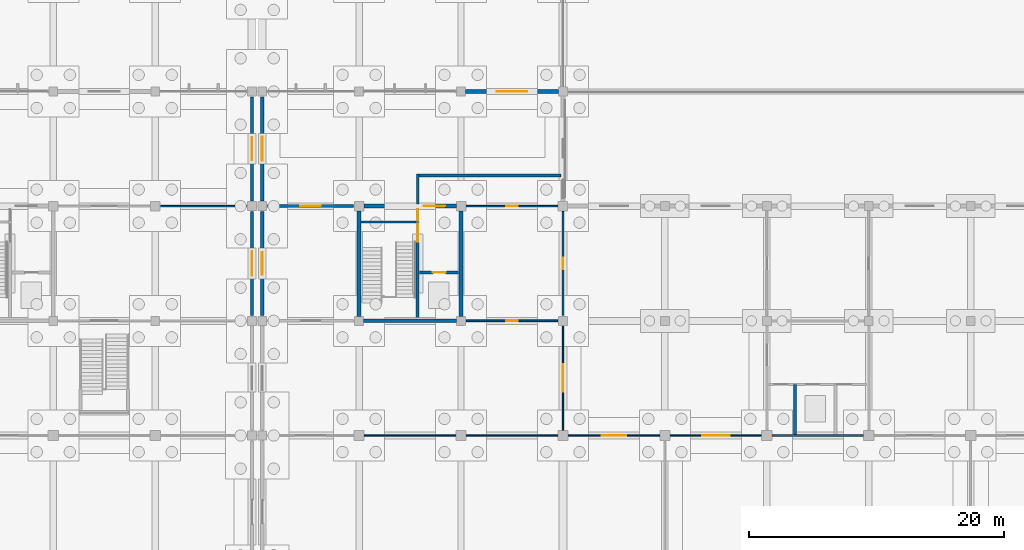
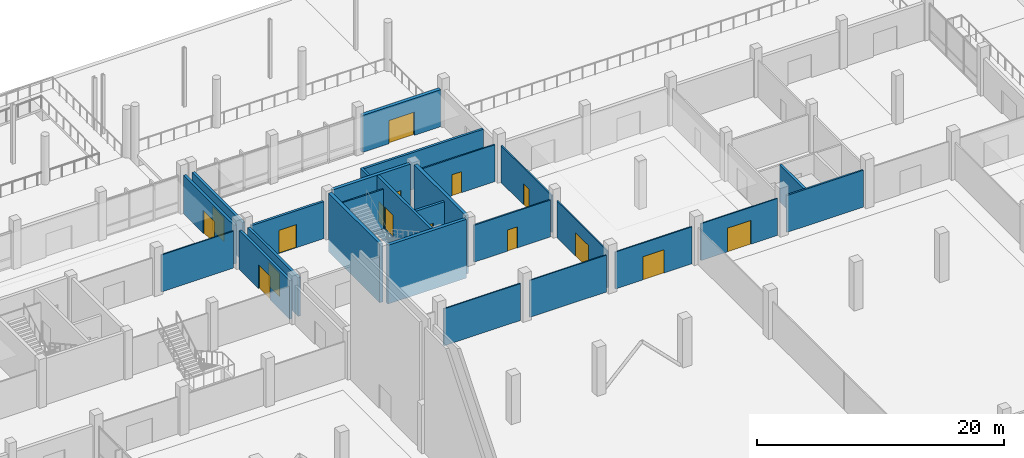
# One storey, part 55 of 72: 26 walls, 16 doors, 16 openings.
"""IFC4 building model written with IfcOpenShell, lengths in metres."""

from ifc_helpers import new_model, si_unit, direction, frame, frame_2d, origin, place, context, subcontext, project, spatial, rectangle, extrude, material, layer, layer_set, type_object, element, fill, save


model = new_model("IFC4")

# Units and contexts
model_context = context("Model", 3, precision=1e-05, world=origin(), true_north=direction((0.0, 1.0)))
body_context = subcontext(model_context, "Body", "Model", "MODEL_VIEW")
ifc_project = project(units=[si_unit("LENGTHUNIT", "METRE"), si_unit("AREAUNIT", "SQUARE_METRE"), si_unit("VOLUMEUNIT", "CUBIC_METRE"), si_unit("PLANEANGLEUNIT", "RADIAN"), si_unit("MASSUNIT", "GRAM", prefix="KILO"), si_unit("THERMODYNAMICTEMPERATUREUNIT", "KELVIN"), si_unit("POWERUNIT", "WATT")], contexts=[model_context])

# Site, building, storey
site_placement = place(None, origin())
site = spatial("IfcSite", under=ifc_project, at=site_placement, CompositionType="ELEMENT")
building_placement = place(site_placement, origin())
building = spatial("IfcBuilding", under=site, at=building_placement, Name="Kronsvod Quay Wholesale Market", CompositionType="ELEMENT")
storey_placement = place(building_placement, origin())
storey = spatial("IfcBuildingStorey", under=building, at=storey_placement, Name="L00", CompositionType="ELEMENT", Elevation=0.0)

# Wall
ifc_material_1 = material(Name="Concrete C35/45", Category="concrete")
ifc_layer_1 = layer(ifc_material_1, 0.300048828125)
ifc_layer_set_1 = layer_set([ifc_layer_1], Name="Concrete C35/45")
wall_type_1 = type_object("IfcWallType", Name="Wall_CoreShear300", PredefinedType="SHEAR", material=ifc_layer_set_1)
wall_1_placement = place(storey_placement, frame((136.344970703125, 99.0, -1.25), z_axis=(0.0, 0.0, 1.0), x_axis=(1.0, 0.0, 0.0)))
element("IfcWall", 1, at=wall_1_placement, inside=storey, type_object=wall_type_1, Name="CW-C10-L00-S", PredefinedType="SHEAR", context=body_context, shape_type="SweptSolid", body=[
    extrude(rectangle(XDim=7.31005859375, YDim=0.300048828125, at=frame_2d((3.655029296875, 0.0))), origin(), (0.0, 0.0, 1.0), 5.804931640625),
])

# Wall, opening, door
wall_2_placement = place(storey_placement, frame((136.3701171875, 108.0, -1.25), z_axis=(0.0, 0.0, 1.0), x_axis=(1.0, 0.0, 0.0)))
wall_2 = element("IfcWall", 2, at=wall_2_placement, inside=storey, type_object=wall_type_1, Name="CW-C10-L00-N", PredefinedType="SHEAR", context=body_context, shape_type="SweptSolid", body=[
    extrude(rectangle(XDim=7.259765625, YDim=0.300048828125, at=frame_2d((3.6298828125, 0.0))), origin(), (0.0, 0.0, 1.0), 5.804931640625),
])
opening_1_placement = place(wall_2_placement, frame((4.699951171875, 0.0, 1.25)))
opening_1 = element("IfcOpeningElement", 3, at=opening_1_placement, cuts=wall_2, Name="Opening D-0108", PredefinedType="OPENING", context=body_context, shape_type="SweptSolid", body=[
    extrude(rectangle(XDim=1.699951171875, YDim=2.25, at=frame_2d((0.85009765625, 1.125))), frame((0.0, 0.16015625, 0.0), z_axis=(0.0, -1.0, 0.0), x_axis=(1.0, 0.0, 0.0)), (0.0, 0.0, 1.0), 0.320068359375),
])
ifc_material_2 = material(Name="Painted galvanized fire steel", Category="steel")
door_type_1 = type_object("IfcDoorType", Name="Door_FireLobby170x225", OperationType="DOUBLE_DOOR_SINGLE_SWING", PredefinedType="DOOR", material=ifc_material_2)
door_1_placement = place(opening_1_placement, origin())
door_1 = element("IfcDoor", 4, at=door_1_placement, inside=storey, type_object=door_type_1, Name="Core Lobby Door D-0108", OperationType="DOUBLE_DOOR_SINGLE_SWING", OverallHeight=2.25, OverallWidth=1.699951171875, PredefinedType="DOOR", context=body_context, shape_type="SweptSolid", body=[
    extrude(rectangle(XDim=1.699951171875, YDim=2.25, at=frame_2d((0.85009765625, 1.125))), frame((0.0, 0.02490234375, 0.0), z_axis=(0.0, -1.0, 0.0), x_axis=(1.0, 0.0, 0.0)), (0.0, 0.0, 1.0), 0.050048828125),
])
fill(opening_1, door_1)

# Walls
for number, where, z_axis, x_axis, name in (
    (5, (136.0, 99.344970703125, -1.25), (0.0, 0.0, 1.0), (0.0, 1.0, 0.0), "CW-C10-L00-W"),
    (6, (144.0, 99.344970703125, -1.25), (0.0, 0.0, 1.0), (0.0, 1.0, 0.0), "CW-C10-L00-E"),
):
    element("IfcWall", number, at=place(storey_placement, frame(where, z_axis=z_axis, x_axis=x_axis)), inside=storey, type_object=wall_type_1, Name=name, PredefinedType="SHEAR", context=body_context, shape_type="SweptSolid", body=[
        extrude(rectangle(XDim=8.284912109375, YDim=0.300048828125, at=frame_2d((4.142578125, 0.0))), origin(), (0.0, 0.0, 1.0), 5.804931640625),
    ])

# Wall, opening, door
ifc_material_3 = material(Name="Precast concrete C40/50", Category="concrete")
ifc_layer_2 = layer(ifc_material_3, 0.320068359375)
ifc_layer_set_2 = layer_set([ifc_layer_2], Name="Precast concrete C40/50")
wall_type_2 = type_object("IfcWallType", Name="Wall_ExtPrecast320", PredefinedType="SOLIDWALL", material=ifc_layer_set_2)
wall_3_placement = place(storey_placement, frame((151.655029296875, 117.0, 0.0), z_axis=(0.0, 0.0, 1.0), x_axis=(-1.0, 0.0, 0.0)))
wall_3 = element("IfcWall", 7, at=wall_3_placement, inside=storey, type_object=wall_type_2, Name="EW-X-L00-0078", PredefinedType="SOLIDWALL", context=body_context, shape_type="SweptSolid", body=[
    extrude(rectangle(XDim=7.31005859375, YDim=0.320068359375, at=frame_2d((3.655029296875, 0.0))), origin(), (0.0, 0.0, 1.0), 3.64990234375),
])
opening_2_placement = place(wall_3_placement, frame((2.455078125, 0.0, 0.0)))
opening_2 = element("IfcOpeningElement", 8, at=opening_2_placement, cuts=wall_3, Name="Opening ED-044", PredefinedType="OPENING", context=body_context, shape_type="SweptSolid", body=[
    extrude(rectangle(XDim=2.39990234375, YDim=2.300048828125, at=frame_2d((1.199951171875, 1.14990234375))), frame((0.0, 0.169921875, 0.0), z_axis=(0.0, -1.0, 0.0), x_axis=(1.0, 0.0, 0.0)), (0.0, 0.0, 1.0), 0.340087890625),
])
ifc_material_4 = material(Name="Aluminium and safety glass", Category="aluminium")
door_type_2 = type_object("IfcDoorType", Name="Door_ExitDouble240x230", OperationType="DOUBLE_DOOR_SINGLE_SWING", PredefinedType="DOOR", material=ifc_material_4)
door_2_placement = place(opening_2_placement, frame((2.39990234375, 0.0, 0.0), z_axis=(0.0, 0.0, 1.0), x_axis=(-1.0, 0.0, 0.0)))
door_2 = element("IfcDoor", 9, at=door_2_placement, inside=storey, type_object=door_type_2, Name="Harbour Colonnade Exit Door ED-044", OperationType="DOUBLE_DOOR_SINGLE_SWING", OverallHeight=2.300048828125, OverallWidth=2.39990234375, PredefinedType="DOOR", context=body_context, shape_type="SweptSolid", body=[
    extrude(rectangle(XDim=2.39990234375, YDim=2.300048828125, at=frame_2d((1.199951171875, 1.14990234375))), frame((0.0, 0.02490234375, 0.0), z_axis=(0.0, -1.0, 0.0), x_axis=(1.0, 0.0, 0.0)), (0.0, 0.0, 1.0), 0.050048828125),
])
fill(opening_2, door_2)

ifc_material_5 = material(Name="Precast concrete C40/50", Category="concrete")
ifc_layer_3 = layer(ifc_material_5, 0.239990234375)
ifc_layer_set_3 = layer_set([ifc_layer_3], Name="Precast concrete C40/50")
wall_type_3 = type_object("IfcWallType", Name="Wall_ExtSpandrel240", PredefinedType="SOLIDWALL", material=ifc_layer_set_3)
wall_4_placement = place(storey_placement, frame((127.60009765625, 99.419921875, 0.0), z_axis=(0.0, 0.0, 1.0), x_axis=(0.0, 1.0, 0.0)))
wall_4 = element("IfcWall", 10, at=wall_4_placement, inside=storey, type_object=wall_type_3, Name="MJWG-L00-1276-990", PredefinedType="SOLIDWALL", context=body_context, shape_type="SweptSolid", body=[
    extrude(rectangle(XDim=8.16015625, YDim=0.239990234375, at=frame_2d((4.080078125, 0.0))), origin(), (0.0, 0.0, 1.0), 3.820068359375),
])
opening_3_placement = place(wall_4_placement, frame((3.1298828125, 0.0, 0.0)))
opening_3 = element("IfcOpeningElement", 11, at=opening_3_placement, cuts=wall_4, Name="Opening D-0339", PredefinedType="OPENING", context=body_context, shape_type="SweptSolid", body=[
    extrude(rectangle(XDim=1.89990234375, YDim=2.35009765625, at=frame_2d((0.949951171875, 1.175048828125))), frame((0.0, 0.1298828125, 0.0), z_axis=(0.0, -1.0, 0.0), x_axis=(1.0, 0.0, 0.0)), (0.0, 0.0, 1.0), 0.260009765625),
])
ifc_material_6 = material(Name="Painted galvanized fire steel", Category="steel")
door_type_3 = type_object("IfcDoorType", Name="Door_FireComp190x235", OperationType="DOUBLE_DOOR_SINGLE_SWING", PredefinedType="DOOR", material=ifc_material_6)
door_3_placement = place(opening_3_placement, origin())
door_3 = element("IfcDoor", 12, at=door_3_placement, inside=storey, type_object=door_type_3, Name="Fire Compartment Door D-0339", OperationType="DOUBLE_DOOR_SINGLE_SWING", OverallHeight=2.35009765625, OverallWidth=1.89990234375, PredefinedType="DOOR", context=body_context, shape_type="SweptSolid", body=[
    extrude(rectangle(XDim=1.89990234375, YDim=2.35009765625, at=frame_2d((0.949951171875, 1.175048828125))), frame((0.0, 0.02490234375, 0.0), z_axis=(0.0, -1.0, 0.0), x_axis=(1.0, 0.0, 0.0)), (0.0, 0.0, 1.0), 0.050048828125),
])
fill(opening_3, door_3)

wall_5_placement = place(storey_placement, frame((127.60009765625, 108.419921875, 0.0), z_axis=(0.0, 0.0, 1.0), x_axis=(0.0, 1.0, 0.0)))
wall_5 = element("IfcWall", 13, at=wall_5_placement, inside=storey, type_object=wall_type_3, Name="MJWG-L00-1276-1080", PredefinedType="SOLIDWALL", context=body_context, shape_type="SweptSolid", body=[
    extrude(rectangle(XDim=8.16015625, YDim=0.239990234375, at=frame_2d((4.080078125, 0.0))), origin(), (0.0, 0.0, 1.0), 3.820068359375),
])
opening_4_placement = place(wall_5_placement, frame((3.179931640625, 0.0, 0.0)))
opening_4 = element("IfcOpeningElement", 14, at=opening_4_placement, cuts=wall_5, Name="Opening D-0340", PredefinedType="OPENING", context=body_context, shape_type="SweptSolid", body=[
    extrude(rectangle(XDim=1.800048828125, YDim=2.300048828125, at=frame_2d((0.89990234375, 1.14990234375))), frame((0.0, 0.1298828125, 0.0), z_axis=(0.0, -1.0, 0.0), x_axis=(1.0, 0.0, 0.0)), (0.0, 0.0, 1.0), 0.260009765625),
])
ifc_material_7 = material(Name="Painted galvanized fire steel", Category="steel")
door_type_4 = type_object("IfcDoorType", Name="Door_FireComp180x230", OperationType="DOUBLE_DOOR_SINGLE_SWING", PredefinedType="DOOR", material=ifc_material_7)
door_4_placement = place(opening_4_placement, origin())
door_4 = element("IfcDoor", 15, at=door_4_placement, inside=storey, type_object=door_type_4, Name="Fire Compartment Door D-0340", OperationType="DOUBLE_DOOR_SINGLE_SWING", OverallHeight=2.300048828125, OverallWidth=1.800048828125, PredefinedType="DOOR", context=body_context, shape_type="SweptSolid", body=[
    extrude(rectangle(XDim=1.800048828125, YDim=2.300048828125, at=frame_2d((0.89990234375, 1.14990234375))), frame((0.0, 0.02490234375, 0.0), z_axis=(0.0, -1.0, 0.0), x_axis=(1.0, 0.0, 0.0)), (0.0, 0.0, 1.0), 0.050048828125),
])
fill(opening_4, door_4)

wall_6_placement = place(storey_placement, frame((128.39990234375, 99.419921875, 0.0), z_axis=(0.0, 0.0, 1.0), x_axis=(0.0, 1.0, 0.0)))
wall_6 = element("IfcWall", 16, at=wall_6_placement, inside=storey, type_object=wall_type_3, Name="MJWG-L00-1284-990", PredefinedType="SOLIDWALL", context=body_context, shape_type="SweptSolid", body=[
    extrude(rectangle(XDim=8.16015625, YDim=0.239990234375, at=frame_2d((4.080078125, 0.0))), origin(), (0.0, 0.0, 1.0), 3.820068359375),
])
opening_5_placement = place(wall_6_placement, frame((3.179931640625, 0.0, 0.0)))
opening_5 = element("IfcOpeningElement", 17, at=opening_5_placement, cuts=wall_6, Name="Opening D-0348", PredefinedType="OPENING", context=body_context, shape_type="SweptSolid", body=[
    extrude(rectangle(XDim=1.800048828125, YDim=2.300048828125, at=frame_2d((0.89990234375, 1.14990234375))), frame((0.0, 0.1298828125, 0.0), z_axis=(0.0, -1.0, 0.0), x_axis=(1.0, 0.0, 0.0)), (0.0, 0.0, 1.0), 0.260009765625),
])
door_5_placement = place(opening_5_placement, origin())
door_5 = element("IfcDoor", 18, at=door_5_placement, inside=storey, type_object=door_type_4, Name="Fire Compartment Door D-0348", OperationType="DOUBLE_DOOR_SINGLE_SWING", OverallHeight=2.300048828125, OverallWidth=1.800048828125, PredefinedType="DOOR", context=body_context, shape_type="SweptSolid", body=[
    extrude(rectangle(XDim=1.800048828125, YDim=2.300048828125, at=frame_2d((0.89990234375, 1.14990234375))), frame((0.0, 0.02490234375, 0.0), z_axis=(0.0, -1.0, 0.0), x_axis=(1.0, 0.0, 0.0)), (0.0, 0.0, 1.0), 0.050048828125),
])
fill(opening_5, door_5)

wall_7_placement = place(storey_placement, frame((128.39990234375, 108.419921875, 0.0), z_axis=(0.0, 0.0, 1.0), x_axis=(0.0, 1.0, 0.0)))
wall_7 = element("IfcWall", 19, at=wall_7_placement, inside=storey, type_object=wall_type_3, Name="MJWG-L00-1284-1080", PredefinedType="SOLIDWALL", context=body_context, shape_type="SweptSolid", body=[
    extrude(rectangle(XDim=8.16015625, YDim=0.239990234375, at=frame_2d((4.080078125, 0.0))), origin(), (0.0, 0.0, 1.0), 3.820068359375),
])
opening_6_placement = place(wall_7_placement, frame((3.1298828125, 0.0, 0.0)))
opening_6 = element("IfcOpeningElement", 20, at=opening_6_placement, cuts=wall_7, Name="Opening D-0349", PredefinedType="OPENING", context=body_context, shape_type="SweptSolid", body=[
    extrude(rectangle(XDim=1.89990234375, YDim=2.35009765625, at=frame_2d((0.949951171875, 1.175048828125))), frame((0.0, 0.1298828125, 0.0), z_axis=(0.0, -1.0, 0.0), x_axis=(1.0, 0.0, 0.0)), (0.0, 0.0, 1.0), 0.260009765625),
])
door_6_placement = place(opening_6_placement, origin())
door_6 = element("IfcDoor", 21, at=door_6_placement, inside=storey, type_object=door_type_3, Name="Fire Compartment Door D-0349", OperationType="DOUBLE_DOOR_SINGLE_SWING", OverallHeight=2.35009765625, OverallWidth=1.89990234375, PredefinedType="DOOR", context=body_context, shape_type="SweptSolid", body=[
    extrude(rectangle(XDim=1.89990234375, YDim=2.35009765625, at=frame_2d((0.949951171875, 1.175048828125))), frame((0.0, 0.02490234375, 0.0), z_axis=(0.0, -1.0, 0.0), x_axis=(1.0, 0.0, 0.0)), (0.0, 0.0, 1.0), 0.050048828125),
])
fill(opening_6, door_6)

# Wall
ifc_material_8 = material(Name="Concrete C35/45", Category="concrete")
ifc_layer_4 = layer(ifc_material_8, 0.219970703125)
ifc_layer_set_4 = layer_set([ifc_layer_4], Name="Concrete C35/45")
wall_type_4 = type_object("IfcWallType", Name="Wall_FireComp220", PredefinedType="SOLIDWALL", material=ifc_layer_set_4)
wall_8_placement = place(storey_placement, frame((170.199951171875, 90.080078125, 0.0), z_axis=(0.0, 0.0, 1.0), x_axis=(0.0, 1.0, 0.0)))
element("IfcWall", 22, at=wall_8_placement, inside=storey, type_object=wall_type_4, Name="LFX-L00-W1", PredefinedType="SOLIDWALL", context=body_context, shape_type="SweptSolid", body=[
    extrude(rectangle(XDim=3.919921875, YDim=0.219970703125, at=frame_2d((1.9599609375, 0.0))), origin(), (0.0, 0.0, 1.0), 3.64990234375),
])

# Wall, opening, door
wall_9_placement = place(storey_placement, frame((128.820068359375, 108.0, 0.0), z_axis=(0.0, 0.0, 1.0), x_axis=(1.0, 0.0, 0.0)))
wall_9 = element("IfcWall", 23, at=wall_9_placement, inside=storey, type_object=wall_type_4, Name="PW-L00-0148", PredefinedType="SOLIDWALL", context=body_context, shape_type="SweptSolid", body=[
    extrude(rectangle(XDim=6.760009765625, YDim=0.219970703125, at=frame_2d((3.3798828125, 0.0))), origin(), (0.0, 0.0, 1.0), 3.64990234375),
])
opening_7_placement = place(wall_9_placement, frame((2.580078125, 0.0, 0.0)))
opening_7 = element("IfcOpeningElement", 24, at=opening_7_placement, cuts=wall_9, Name="Opening D-0209", PredefinedType="OPENING", context=body_context, shape_type="SweptSolid", body=[
    extrude(rectangle(XDim=1.60009765625, YDim=2.280029296875, at=frame_2d((0.800048828125, 1.14013671875))), frame((0.0, 0.1201171875, 0.0), z_axis=(0.0, -1.0, 0.0), x_axis=(1.0, 0.0, 0.0)), (0.0, 0.0, 1.0), 0.239990234375),
])
ifc_material_9 = material(Name="Painted steel plant door", Category="steel")
door_type_5 = type_object("IfcDoorType", Name="Door_Plant160x228", OperationType="DOUBLE_DOOR_SINGLE_SWING", PredefinedType="DOOR", material=ifc_material_9)
door_7_placement = place(opening_7_placement, origin())
door_7 = element("IfcDoor", 25, at=door_7_placement, inside=storey, type_object=door_type_5, Name="Interior Door D-0209", OperationType="DOUBLE_DOOR_SINGLE_SWING", OverallHeight=2.280029296875, OverallWidth=1.60009765625, PredefinedType="DOOR", context=body_context, shape_type="SweptSolid", body=[
    extrude(rectangle(XDim=1.60009765625, YDim=2.280029296875, at=frame_2d((0.800048828125, 1.14013671875))), frame((0.0, 0.02490234375, 0.0), z_axis=(0.0, -1.0, 0.0), x_axis=(1.0, 0.0, 0.0)), (0.0, 0.0, 1.0), 0.050048828125),
])
fill(opening_7, door_7)

# Walls
wall_10_placement = place(storey_placement, frame((140.7099609375, 110.39990234375, 0.0), z_axis=(0.0, 0.0, 1.0), x_axis=(1.0, 0.0, 0.0)))
element("IfcWall", 26, at=wall_10_placement, inside=storey, type_object=wall_type_4, Name="XPW-C10-N", PredefinedType="SOLIDWALL", context=body_context, shape_type="SweptSolid", body=[
    extrude(rectangle(XDim=11.14013671875, YDim=0.219970703125, at=frame_2d((5.570068359375, 0.0))), origin(), (0.0, 0.0, 1.0), 3.64990234375),
])
wall_11_placement = place(storey_placement, frame((140.60009765625, 108.14990234375, 0.0), z_axis=(0.0, 0.0, 1.0), x_axis=(0.0, 1.0, 0.0)))
element("IfcWall", 27, at=wall_11_placement, inside=storey, type_object=wall_type_4, Name="XPW-C10-W", PredefinedType="SOLIDWALL", context=body_context, shape_type="SweptSolid", body=[
    extrude(rectangle(XDim=2.360107421875, YDim=0.219970703125, at=frame_2d((1.18017578125, 0.0))), origin(), (0.0, 0.0, 1.0), 3.64990234375),
])
ifc_material_10 = material(Name="Fire-rated corridor gypsum partition")
ifc_layer_5 = layer(ifc_material_10, 0.159912109375)
ifc_layer_set_5 = layer_set([ifc_layer_5], Name="Fire-rated corridor gypsum partition")
wall_type_5 = type_object("IfcWallType", Name="Wall_PartCorridor160", PredefinedType="PARTITIONING", material=ifc_layer_set_5)
wall_12_placement = place(storey_placement, frame((168.419921875, 90.0, 0.0), z_axis=(0.0, 0.0, 1.0), x_axis=(1.0, 0.0, 0.0)))
element("IfcWall", 28, at=wall_12_placement, inside=storey, type_object=wall_type_5, Name="LFX-L00-WS", PredefinedType="PARTITIONING", context=body_context, shape_type="SweptSolid", body=[
    extrude(rectangle(XDim=7.16015625, YDim=0.159912109375, at=frame_2d((3.580078125, 0.0))), origin(), (0.0, 0.0, 1.0), 3.64990234375),
])
ifc_material_11 = material(Name="Double-glazed gallery screen partition", Category="glass")
ifc_layer_6 = layer(ifc_material_11, 0.10791015625)
ifc_layer_set_6 = layer_set([ifc_layer_6], Name="Double-glazed gallery screen partition")
wall_type_6 = type_object("IfcWallType", Name="Wall_PartGlazed108", PredefinedType="PARTITIONING", material=ifc_layer_set_6)
for number, where, z_axis, x_axis, name in (
    (29, (136.419921875, 90.0, 0.0), (0.0, 0.0, 1.0), (1.0, 0.0, 0.0), "PW-L00-0115"),
    (30, (144.419921875, 90.0, 0.0), (0.0, 0.0, 1.0), (1.0, 0.0, 0.0), "PW-L00-0116"),
):
    element("IfcWall", number, at=place(storey_placement, frame(where, z_axis=z_axis, x_axis=x_axis)), inside=storey, type_object=wall_type_6, Name=name, PredefinedType="PARTITIONING", context=body_context, shape_type="SweptSolid", body=[
        extrude(rectangle(XDim=7.16015625, YDim=0.10791015625, at=frame_2d((3.580078125, 0.0))), origin(), (0.0, 0.0, 1.0), 3.64990234375),
    ])

# Wall, opening, door
wall_13_placement = place(storey_placement, frame((160.419921875, 90.0, 0.0), z_axis=(0.0, 0.0, 1.0), x_axis=(1.0, 0.0, 0.0)))
wall_13 = element("IfcWall", 31, at=wall_13_placement, inside=storey, type_object=wall_type_6, Name="PW-L00-0120", PredefinedType="PARTITIONING", context=body_context, shape_type="SweptSolid", body=[
    extrude(rectangle(XDim=7.16015625, YDim=0.10791015625, at=frame_2d((3.580078125, 0.0))), origin(), (0.0, 0.0, 1.0), 3.64990234375),
])
opening_8_placement = place(wall_13_placement, frame((2.5048828125, 0.0, 0.0)))
opening_8 = element("IfcOpeningElement", 32, at=opening_8_placement, cuts=wall_13, Name="Opening D-0188", PredefinedType="OPENING", context=body_context, shape_type="SweptSolid", body=[
    extrude(rectangle(XDim=2.14990234375, YDim=2.35009765625, at=frame_2d((1.074951171875, 1.175048828125))), frame((0.0, 0.06396484375, 0.0), z_axis=(0.0, -1.0, 0.0), x_axis=(1.0, 0.0, 0.0)), (0.0, 0.0, 1.0), 0.1279296875),
])
ifc_material_12 = material(Name="Glazed aluminium hall portal", Category="aluminium")
door_type_6 = type_object("IfcDoorType", Name="Door_HallPortal215x235", OperationType="DOUBLE_DOOR_SINGLE_SWING", PredefinedType="DOOR", material=ifc_material_12)
door_8_placement = place(opening_8_placement, origin())
door_8 = element("IfcDoor", 33, at=door_8_placement, inside=storey, type_object=door_type_6, Name="Interior Door D-0188", OperationType="DOUBLE_DOOR_SINGLE_SWING", OverallHeight=2.35009765625, OverallWidth=2.14990234375, PredefinedType="DOOR", context=body_context, shape_type="SweptSolid", body=[
    extrude(rectangle(XDim=2.14990234375, YDim=2.35009765625, at=frame_2d((1.074951171875, 1.175048828125))), frame((0.0, 0.02490234375, 0.0), z_axis=(0.0, -1.0, 0.0), x_axis=(1.0, 0.0, 0.0)), (0.0, 0.0, 1.0), 0.050048828125),
])
fill(opening_8, door_8)

wall_14_placement = place(storey_placement, frame((152.0, 90.419921875, 0.0), z_axis=(0.0, 0.0, 1.0), x_axis=(0.0, 1.0, 0.0)))
wall_14 = element("IfcWall", 34, at=wall_14_placement, inside=storey, type_object=wall_type_6, Name="PW-L00-0124", PredefinedType="PARTITIONING", context=body_context, shape_type="SweptSolid", body=[
    extrude(rectangle(XDim=8.16015625, YDim=0.10791015625, at=frame_2d((4.080078125, 0.0))), origin(), (0.0, 0.0, 1.0), 3.64990234375),
])
opening_9_placement = place(wall_14_placement, frame((3.0048828125, 0.0, 0.0)))
opening_9 = element("IfcOpeningElement", 35, at=opening_9_placement, cuts=wall_14, Name="Opening D-0192", PredefinedType="OPENING", context=body_context, shape_type="SweptSolid", body=[
    extrude(rectangle(XDim=2.14990234375, YDim=2.35009765625, at=frame_2d((1.074951171875, 1.175048828125))), frame((0.0, 0.06396484375, 0.0), z_axis=(0.0, -1.0, 0.0), x_axis=(1.0, 0.0, 0.0)), (0.0, 0.0, 1.0), 0.1279296875),
])
door_9_placement = place(opening_9_placement, origin())
door_9 = element("IfcDoor", 36, at=door_9_placement, inside=storey, type_object=door_type_6, Name="Interior Door D-0192", OperationType="DOUBLE_DOOR_SINGLE_SWING", OverallHeight=2.35009765625, OverallWidth=2.14990234375, PredefinedType="DOOR", context=body_context, shape_type="SweptSolid", body=[
    extrude(rectangle(XDim=2.14990234375, YDim=2.35009765625, at=frame_2d((1.074951171875, 1.175048828125))), frame((0.0, 0.02490234375, 0.0), z_axis=(0.0, -1.0, 0.0), x_axis=(1.0, 0.0, 0.0)), (0.0, 0.0, 1.0), 0.050048828125),
])
fill(opening_9, door_9)

ifc_material_13 = material(Name="Framed acoustic glass hall partition", Category="glass")
ifc_layer_7 = layer(ifc_material_13, 0.114990234375)
ifc_layer_set_7 = layer_set([ifc_layer_7], Name="Framed acoustic glass hall partition")
wall_type_7 = type_object("IfcWallType", Name="Wall_PartGlazed115", PredefinedType="PARTITIONING", material=ifc_layer_set_7)
wall_15_placement = place(storey_placement, frame((152.419921875, 90.0, 0.0), z_axis=(0.0, 0.0, 1.0), x_axis=(1.0, 0.0, 0.0)))
wall_15 = element("IfcWall", 37, at=wall_15_placement, inside=storey, type_object=wall_type_7, Name="PW-L00-0113", PredefinedType="PARTITIONING", context=body_context, shape_type="SweptSolid", body=[
    extrude(rectangle(XDim=7.16015625, YDim=0.114990234375, at=frame_2d((3.580078125, 0.0))), origin(), (0.0, 0.0, 1.0), 3.64990234375),
])
opening_10_placement = place(wall_15_placement, frame((2.60498046875, 0.0, 0.0)))
opening_10 = element("IfcOpeningElement", 38, at=opening_10_placement, cuts=wall_15, Name="Opening D-0185", PredefinedType="OPENING", context=body_context, shape_type="SweptSolid", body=[
    extrude(rectangle(XDim=1.949951171875, YDim=2.300048828125, at=frame_2d((0.97509765625, 1.14990234375))), frame((0.0, 0.0673828125, 0.0), z_axis=(0.0, -1.0, 0.0), x_axis=(1.0, 0.0, 0.0)), (0.0, 0.0, 1.0), 0.135009765625),
])
ifc_material_14 = material(Name="Glazed aluminium hall portal", Category="aluminium")
door_type_7 = type_object("IfcDoorType", Name="Door_HallPortal195x230", OperationType="DOUBLE_DOOR_SINGLE_SWING", PredefinedType="DOOR", material=ifc_material_14)
door_10_placement = place(opening_10_placement, origin())
door_10 = element("IfcDoor", 39, at=door_10_placement, inside=storey, type_object=door_type_7, Name="Interior Door D-0185", OperationType="DOUBLE_DOOR_SINGLE_SWING", OverallHeight=2.300048828125, OverallWidth=1.949951171875, PredefinedType="DOOR", context=body_context, shape_type="SweptSolid", body=[
    extrude(rectangle(XDim=1.949951171875, YDim=2.300048828125, at=frame_2d((0.97509765625, 1.14990234375))), frame((0.0, 0.02490234375, 0.0), z_axis=(0.0, -1.0, 0.0), x_axis=(1.0, 0.0, 0.0)), (0.0, 0.0, 1.0), 0.050048828125),
])
fill(opening_10, door_10)

# Walls
wall_16_placement = place(storey_placement, frame((120.419921875, 108.0, 0.0), z_axis=(0.0, 0.0, 1.0), x_axis=(1.0, 0.0, 0.0)))
element("IfcWall", 40, at=wall_16_placement, inside=storey, type_object=wall_type_7, Name="PW-L00-0147", PredefinedType="PARTITIONING", context=body_context, shape_type="SweptSolid", body=[
    extrude(rectangle(XDim=6.760009765625, YDim=0.114990234375, at=frame_2d((3.3798828125, 0.0))), origin(), (0.0, 0.0, 1.0), 3.64990234375),
])
ifc_material_15 = material(Name="Fire-rated shaft riser block wall", Category="masonry")
ifc_layer_8 = layer(ifc_material_15, 0.1298828125)
ifc_layer_set_8 = layer_set([ifc_layer_8], Name="Fire-rated shaft riser block wall")
wall_type_8 = type_object("IfcWallType", Name="Wall_PartRiser130", PredefinedType="PARTITIONING", material=ifc_layer_set_8)
wall_17_placement = place(storey_placement, frame((136.179931640625, 106.75, 0.0), z_axis=(0.0, 0.0, 1.0), x_axis=(1.0, 0.0, 0.0)))
element("IfcWall", 41, at=wall_17_placement, inside=storey, type_object=wall_type_8, Name="CW-C10-L00-RSR", PredefinedType="PARTITIONING", context=body_context, shape_type="SweptSolid", body=[
    extrude(rectangle(XDim=4.280029296875, YDim=0.1298828125, at=frame_2d((2.14013671875, 0.0))), origin(), (0.0, 0.0, 1.0), 3.905029296875),
])

# Wall, opening, door
ifc_material_16 = material(Name="Moisture-resistant sanitary block partition", Category="masonry")
ifc_layer_9 = layer(ifc_material_16, 0.135009765625)
ifc_layer_set_9 = layer_set([ifc_layer_9], Name="Moisture-resistant sanitary block partition")
wall_type_9 = type_object("IfcWallType", Name="Wall_PartWet135", PredefinedType="PLUMBINGWALL", material=ifc_layer_set_9)
wall_18_placement = place(storey_placement, frame((152.0, 99.419921875, 0.0), z_axis=(0.0, 0.0, 1.0), x_axis=(0.0, 1.0, 0.0)))
wall_18 = element("IfcWall", 42, at=wall_18_placement, inside=storey, type_object=wall_type_9, Name="PW-L00-0125", PredefinedType="PLUMBINGWALL", context=body_context, shape_type="SweptSolid", body=[
    extrude(rectangle(XDim=8.16015625, YDim=0.135009765625, at=frame_2d((4.080078125, 0.0))), origin(), (0.0, 0.0, 1.0), 3.64990234375),
])
opening_11_placement = place(wall_18_placement, frame((3.6201171875, 0.0, 0.0)))
opening_11 = element("IfcOpeningElement", 43, at=opening_11_placement, cuts=wall_18, Name="Opening D-0193", PredefinedType="OPENING", context=body_context, shape_type="SweptSolid", body=[
    extrude(rectangle(XDim=0.919921875, YDim=2.080078125, at=frame_2d((0.4599609375, 1.0400390625))), frame((0.0, 0.07763671875, 0.0), z_axis=(0.0, -1.0, 0.0), x_axis=(1.0, 0.0, 0.0)), (0.0, 0.0, 1.0), 0.155029296875),
])
ifc_material_17 = material(Name="Moisture-resistant laminate door", Category="wood")
door_type_8 = type_object("IfcDoorType", Name="Door_WC92x208", OperationType="NOTDEFINED", PredefinedType="DOOR", material=ifc_material_17)
door_11_placement = place(opening_11_placement, origin())
door_11 = element("IfcDoor", 44, at=door_11_placement, inside=storey, type_object=door_type_8, Name="Interior Door D-0193", OperationType="SINGLE_SWING_LEFT", OverallHeight=2.080078125, OverallWidth=0.919921875, PredefinedType="DOOR", context=body_context, shape_type="SweptSolid", body=[
    extrude(rectangle(XDim=0.919921875, YDim=2.080078125, at=frame_2d((0.4599609375, 1.0400390625))), frame((0.0, 0.02490234375, 0.0), z_axis=(0.0, -1.0, 0.0), x_axis=(1.0, 0.0, 0.0)), (0.0, 0.0, 1.0), 0.050048828125),
])
fill(opening_11, door_11)

wall_19_placement = place(storey_placement, frame((144.419921875, 99.0, 0.0), z_axis=(0.0, 0.0, 1.0), x_axis=(1.0, 0.0, 0.0)))
wall_19 = element("IfcWall", 45, at=wall_19_placement, inside=storey, type_object=wall_type_9, Name="PW-L00-0137", PredefinedType="PLUMBINGWALL", context=body_context, shape_type="SweptSolid", body=[
    extrude(rectangle(XDim=7.16015625, YDim=0.135009765625, at=frame_2d((3.580078125, 0.0))), origin(), (0.0, 0.0, 1.0), 3.64990234375),
])
opening_12_placement = place(wall_19_placement, frame((3.1201171875, 0.0, 0.0)))
opening_12 = element("IfcOpeningElement", 46, at=opening_12_placement, cuts=wall_19, Name="Opening D-0202", PredefinedType="OPENING", context=body_context, shape_type="SweptSolid", body=[
    extrude(rectangle(XDim=0.919921875, YDim=2.080078125, at=frame_2d((0.4599609375, 1.0400390625))), frame((0.0, 0.07763671875, 0.0), z_axis=(0.0, -1.0, 0.0), x_axis=(1.0, 0.0, 0.0)), (0.0, 0.0, 1.0), 0.155029296875),
])
door_12_placement = place(opening_12_placement, origin())
door_12 = element("IfcDoor", 47, at=door_12_placement, inside=storey, type_object=door_type_8, Name="Interior Door D-0202", OperationType="SINGLE_SWING_LEFT", OverallHeight=2.080078125, OverallWidth=0.919921875, PredefinedType="DOOR", context=body_context, shape_type="SweptSolid", body=[
    extrude(rectangle(XDim=0.919921875, YDim=2.080078125, at=frame_2d((0.4599609375, 1.0400390625))), frame((0.0, 0.02490234375, 0.0), z_axis=(0.0, -1.0, 0.0), x_axis=(1.0, 0.0, 0.0)), (0.0, 0.0, 1.0), 0.050048828125),
])
fill(opening_12, door_12)

wall_20_placement = place(storey_placement, frame((144.419921875, 108.0, 0.0), z_axis=(0.0, 0.0, 1.0), x_axis=(1.0, 0.0, 0.0)))
wall_20 = element("IfcWall", 48, at=wall_20_placement, inside=storey, type_object=wall_type_9, Name="PW-L00-0149", PredefinedType="PLUMBINGWALL", context=body_context, shape_type="SweptSolid", body=[
    extrude(rectangle(XDim=7.16015625, YDim=0.135009765625, at=frame_2d((3.580078125, 0.0))), origin(), (0.0, 0.0, 1.0), 3.64990234375),
])
opening_13_placement = place(wall_20_placement, frame((3.1201171875, 0.0, 0.0)))
opening_13 = element("IfcOpeningElement", 49, at=opening_13_placement, cuts=wall_20, Name="Opening D-0210", PredefinedType="OPENING", context=body_context, shape_type="SweptSolid", body=[
    extrude(rectangle(XDim=0.919921875, YDim=2.080078125, at=frame_2d((0.4599609375, 1.0400390625))), frame((0.0, 0.07763671875, 0.0), z_axis=(0.0, -1.0, 0.0), x_axis=(1.0, 0.0, 0.0)), (0.0, 0.0, 1.0), 0.155029296875),
])
door_13_placement = place(opening_13_placement, frame((0.919921875, 0.0, 0.0), z_axis=(0.0, 0.0, 1.0), x_axis=(-1.0, 0.0, 0.0)))
door_13 = element("IfcDoor", 50, at=door_13_placement, inside=storey, type_object=door_type_8, Name="Interior Door D-0210", OperationType="SINGLE_SWING_RIGHT", OverallHeight=2.080078125, OverallWidth=0.919921875, PredefinedType="DOOR", context=body_context, shape_type="SweptSolid", body=[
    extrude(rectangle(XDim=0.919921875, YDim=2.080078125, at=frame_2d((0.4599609375, 1.0400390625))), frame((0.0, 0.02490234375, 0.0), z_axis=(0.0, -1.0, 0.0), x_axis=(1.0, 0.0, 0.0)), (0.0, 0.0, 1.0), 0.050048828125),
])
fill(opening_13, door_13)

# Wall, openings, doors
ifc_material_18 = material(Name="Concrete C35/45", Category="concrete")
ifc_layer_10 = layer(ifc_material_18, 0.239990234375)
ifc_layer_set_10 = layer_set([ifc_layer_10], Name="Concrete C35/45")
wall_type_10 = type_object("IfcWallType", Name="Wall_ShaftWall240", PredefinedType="SHEAR", material=ifc_layer_set_10)
wall_21_placement = place(storey_placement, frame((140.60009765625, 99.179931640625, -1.25), z_axis=(0.0, 0.0, 1.0), x_axis=(0.0, 1.0, 0.0)))
wall_21 = element("IfcWall", 51, at=wall_21_placement, inside=storey, type_object=wall_type_10, Name="CW-C10-L00-DIV", PredefinedType="SHEAR", context=body_context, shape_type="SweptSolid", body=[
    extrude(rectangle(XDim=8.64013671875, YDim=0.239990234375, at=frame_2d((4.320068359375, 0.0))), origin(), (0.0, 0.0, 1.0), 5.804931640625),
])
opening_14_placement = place(wall_21_placement, frame((6.02001953125, 0.0, 1.25)))
opening_14 = element("IfcOpeningElement", 52, at=opening_14_placement, cuts=wall_21, Name="Opening D-0106", PredefinedType="OPENING", context=body_context, shape_type="SweptSolid", body=[
    extrude(rectangle(XDim=1.39990234375, YDim=2.199951171875, at=frame_2d((0.699951171875, 1.10009765625))), frame((0.0, 0.1298828125, 0.0), z_axis=(0.0, -1.0, 0.0), x_axis=(1.0, 0.0, 0.0)), (0.0, 0.0, 1.0), 0.260009765625),
])
opening_15_placement = place(wall_21_placement, frame((7.679931640625, 0.0, 1.25)))
opening_15 = element("IfcOpeningElement", 53, at=opening_15_placement, cuts=wall_21, Name="Opening D-0107", PredefinedType="OPENING", context=body_context, shape_type="SweptSolid", body=[
    extrude(rectangle(XDim=0.8798828125, YDim=2.02001953125, at=frame_2d((0.43994140625, 1.010009765625))), frame((0.0, 0.1298828125, 0.0), z_axis=(0.0, -1.0, 0.0), x_axis=(1.0, 0.0, 0.0)), (0.0, 0.0, 1.0), 0.260009765625),
])
ifc_material_19 = material(Name="Painted galvanized fire steel", Category="steel")
door_type_9 = type_object("IfcDoorType", Name="Door_FireStair140x220", OperationType="NOTDEFINED", PredefinedType="DOOR", material=ifc_material_19)
door_14_placement = place(opening_14_placement, origin())
door_14 = element("IfcDoor", 54, at=door_14_placement, inside=storey, type_object=door_type_9, Name="Stair Fire Door D-0106", OperationType="SINGLE_SWING_LEFT", OverallHeight=2.199951171875, OverallWidth=1.39990234375, PredefinedType="DOOR", context=body_context, shape_type="SweptSolid", body=[
    extrude(rectangle(XDim=1.39990234375, YDim=2.199951171875, at=frame_2d((0.699951171875, 1.10009765625))), frame((0.0, 0.02490234375, 0.0), z_axis=(0.0, -1.0, 0.0), x_axis=(1.0, 0.0, 0.0)), (0.0, 0.0, 1.0), 0.050048828125),
])
fill(opening_14, door_14)
ifc_material_20 = material(Name="Fire-rated steel riser access door", Category="steel")
door_type_10 = type_object("IfcDoorType", Name="Door_Riser88x202", OperationType="NOTDEFINED", PredefinedType="DOOR", material=ifc_material_20)
door_15_placement = place(opening_15_placement, origin())
door_15 = element("IfcDoor", 55, at=door_15_placement, inside=storey, type_object=door_type_10, Name="Service Riser Door D-0107", OperationType="SINGLE_SWING_RIGHT", OverallHeight=2.02001953125, OverallWidth=0.8798828125, PredefinedType="DOOR", context=body_context, shape_type="SweptSolid", body=[
    extrude(rectangle(XDim=0.8798828125, YDim=2.02001953125, at=frame_2d((0.43994140625, 1.010009765625))), frame((0.0, 0.02490234375, 0.0), z_axis=(0.0, -1.0, 0.0), x_axis=(1.0, 0.0, 0.0)), (0.0, 0.0, 1.0), 0.050048828125),
])
fill(opening_15, door_15)

# Wall, opening, door
wall_22_placement = place(storey_placement, frame((140.75, 102.800048828125, 0.0), z_axis=(0.0, 0.0, 1.0), x_axis=(1.0, 0.0, 0.0)))
wall_22 = element("IfcWall", 56, at=wall_22_placement, inside=storey, type_object=wall_type_10, Name="CW-C10-L00-LSH", PredefinedType="SHEAR", context=body_context, shape_type="SweptSolid", body=[
    extrude(rectangle(XDim=3.070068359375, YDim=0.239990234375, at=frame_2d((1.53515625, 0.0))), origin(), (0.0, 0.0, 1.0), 3.905029296875),
])
opening_16_placement = place(wall_22_placement, frame((1.034912109375, 0.0, 0.0)))
opening_16 = element("IfcOpeningElement", 57, at=opening_16_placement, cuts=wall_22, Name="Opening D-0109", PredefinedType="OPENING", context=body_context, shape_type="SweptSolid", body=[
    extrude(rectangle(XDim=1.0, YDim=2.14990234375, at=frame_2d((0.5, 1.074951171875))), frame((0.0, 0.1298828125, 0.0), z_axis=(0.0, -1.0, 0.0), x_axis=(1.0, 0.0, 0.0)), (0.0, 0.0, 1.0), 0.260009765625),
])
ifc_material_21 = material(Name="Brushed stainless steel", Category="steel")
door_type_11 = type_object("IfcDoorType", Name="Door_LiftLandingPax", OperationType="SLIDING_TO_LEFT", PredefinedType="DOOR", material=ifc_material_21)
door_16_placement = place(opening_16_placement, origin())
door_16 = element("IfcDoor", 58, at=door_16_placement, inside=storey, type_object=door_type_11, Name="Lift Landing Door LFT-P05 L00", OperationType="SLIDING_TO_LEFT", OverallHeight=2.14990234375, OverallWidth=1.0, PredefinedType="DOOR", context=body_context, shape_type="SweptSolid", body=[
    extrude(rectangle(XDim=1.0, YDim=2.14990234375, at=frame_2d((0.5, 1.074951171875))), frame((0.0, 0.02490234375, 0.0), z_axis=(0.0, -1.0, 0.0), x_axis=(1.0, 0.0, 0.0)), (0.0, 0.0, 1.0), 0.050048828125),
])
fill(opening_16, door_16)

save(model, "model.ifc")
